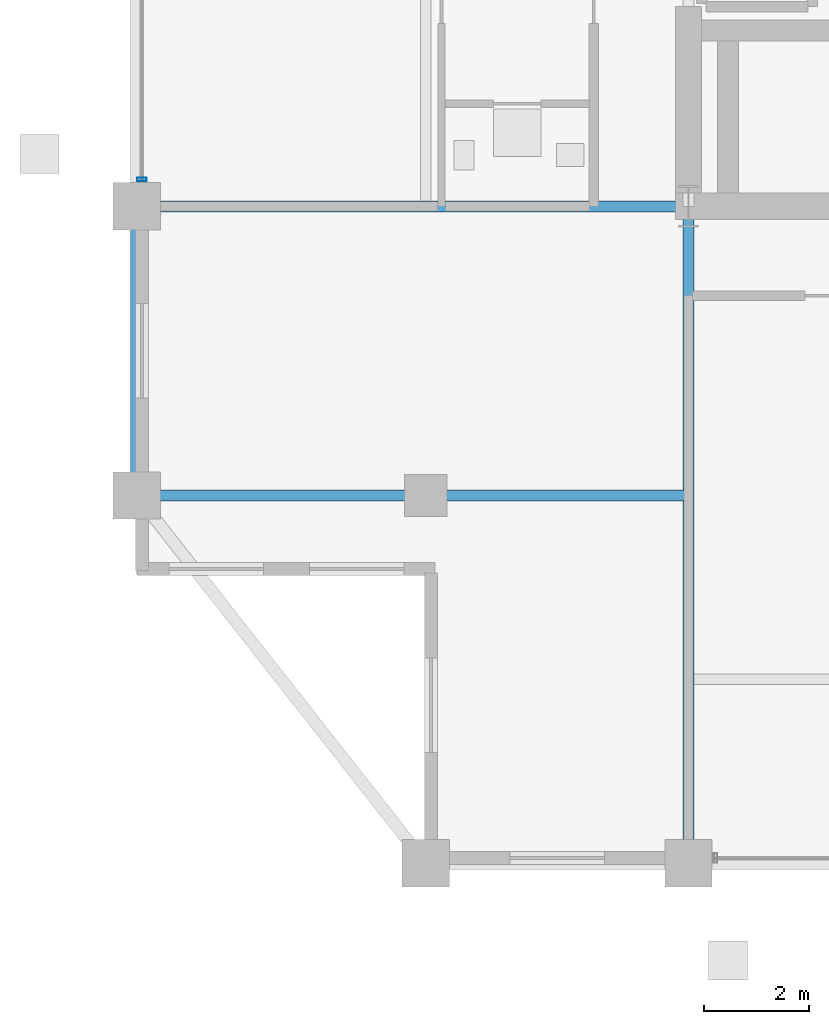
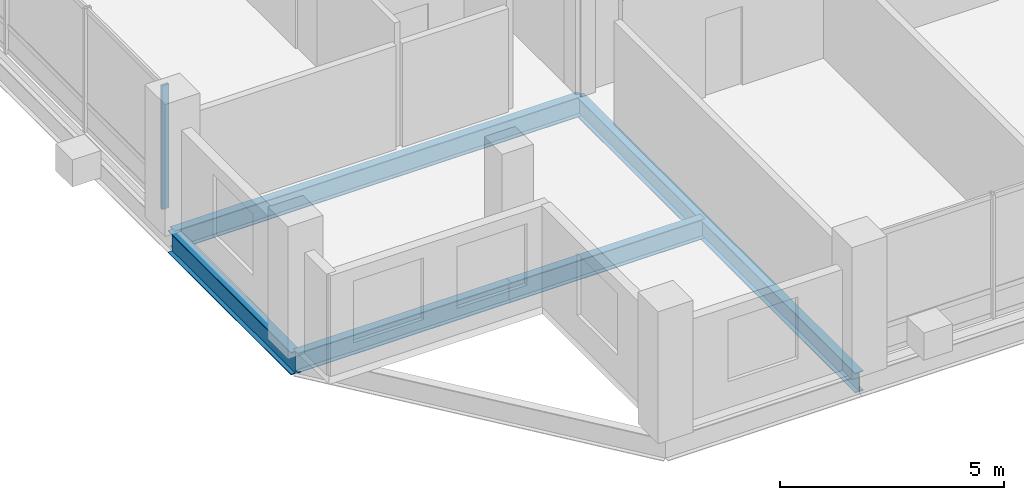
# One storey, part 3 of 21: 5 beams, 1 member, 1 element without a shape of its own.
"""IFC4 building model written with IfcOpenShell, lengths in metres."""

from ifc_helpers import new_model, si_unit, direction, frame, origin, origin_2d, place, context, subcontext, project, spatial, hollow_rectangle, i_section, extrude, material, layer, layer_set, material_profile, profile_set, type_object, element, aggregate, save


model = new_model("IFC4")

# Units and contexts
model_context = context("Model", 3, precision=1e-05, world=origin(), true_north=direction((0.0, 1.0)))
body_context = subcontext(model_context, "Body", "Model", "MODEL_VIEW")
ifc_project = project(units=[si_unit("LENGTHUNIT", "METRE"), si_unit("AREAUNIT", "SQUARE_METRE"), si_unit("VOLUMEUNIT", "CUBIC_METRE"), si_unit("PLANEANGLEUNIT", "RADIAN"), si_unit("MASSUNIT", "GRAM", prefix="KILO")], contexts=[model_context])

# Site, building, storey
site_placement = place(None, origin())
site = spatial("IfcSite", under=ifc_project, at=site_placement, CompositionType="ELEMENT")
building_placement = place(site_placement, origin())
building = spatial("IfcBuilding", under=site, at=building_placement, Name="Barlavira Tower and Art Museum", CompositionType="ELEMENT")
storey_placement = place(building_placement, frame((0.0, 0.0, 287.10009765625)))
storey = spatial("IfcBuildingStorey", under=building, at=storey_placement, Name="L75", CompositionType="ELEMENT", Elevation=287.10009765625)

# Curtain wall, member
ifc_material_1 = material(Name="Low-iron coastal laminated glass", Category="glass")
ifc_layer = layer(ifc_material_1, 0.2099609375, Name="Low-iron coastal laminated glass")
ifc_layer_set = layer_set([ifc_layer], Name="Low-iron coastal laminated glass")
curtain_wall_type = type_object("IfcCurtainWallType", Name="Pale-Metal Unitised Curtain Wall Zone 4", PredefinedType="NOTDEFINED", material=ifc_layer_set)
curtain_wall_placement = place(storey_placement, origin())
curtain_wall = element("IfcCurtainWall", 1, at=curtain_wall_placement, inside=storey, type_object=curtain_wall_type, Name="L75 Curtain Wall CW4-L75-W-B3", PredefinedType="NOTDEFINED")
ifc_material_2 = material(Name="Pale anodised aluminium", Category="aluminium")
ifc_material_profile_1 = material_profile(ifc_material_2, hollow_rectangle(XDim=0.06494140625, YDim=0.179931640625, WallThickness=0.00390625, at=origin_2d()), Name="ALU-MULL 65x180x4")
ifc_profile_set_1 = profile_set([ifc_material_profile_1], Name="Pale anodised aluminium")
member_type = type_object("IfcMemberType", Name="Curtain Wall Pale-Metal Mullion 65x180", PredefinedType="MULLION", material=ifc_profile_set_1)
member_placement = place(storey_placement, frame((-16.89990234375, -6.985107421875, 0.0), z_axis=(0.0, 0.0, 1.0), x_axis=(0.0, -1.0, 0.0)))
member = element("IfcMember", 2, at=member_placement, type_object=member_type, Name="CW4-L75-W-B3 Mullion 4", PredefinedType="MULLION", context=body_context, shape_type="SweptSolid", body=[
    extrude(hollow_rectangle(XDim=0.06494140625, YDim=0.179931640625, WallThickness=0.00390625, at=origin_2d()), origin(), (0.0, 0.0, 1.0), 3.3798828125),
])
aggregate(curtain_wall, [member])

# Beams
ifc_material_3 = material(Name="Steel S355", Category="steel")
ifc_material_profile_2 = material_profile(ifc_material_3, i_section(OverallWidth=0.22998046875, OverallDepth=0.616943359375, WebThickness=0.01318359375, FlangeThickness=0.022216796875, at=origin_2d()), Name="W610x140.0")
ifc_profile_set_2 = profile_set([ifc_material_profile_2], Name="Steel S355")
beam_type_1 = type_object("IfcBeamType", Name="Upper Shaft Spandrel Edge Beam W610x140 Steel S355", PredefinedType="SPANDREL", material=ifc_profile_set_2)
beam_1_placement = place(storey_placement, frame((-17.0, -13.0, -0.528564453125), z_axis=(0.0, 1.0, 0.0), x_axis=(-1.0, 0.0, 0.0)))
element("IfcBeam", 3, at=beam_1_placement, inside=storey, type_object=beam_type_1, Name="L75 Spandrel 15", PredefinedType="SPANDREL", context=body_context, shape_type="SweptSolid", body=[
    extrude(i_section(OverallWidth=0.22998046875, OverallDepth=0.616943359375, WebThickness=0.01318359375, FlangeThickness=0.022216796875, at=origin_2d()), origin(), (0.0, 0.0, 1.0), 5.5),
])
ifc_material_profile_3 = material_profile(ifc_material_3, i_section(OverallWidth=0.2109375, OverallDepth=0.5390625, WebThickness=0.01171875, FlangeThickness=0.018798828125, at=origin_2d()), Name="W530x109.0")
ifc_profile_set_3 = profile_set([ifc_material_profile_3], Name="Steel S355")
beam_type_2 = type_object("IfcBeamType", Name="Zone 3-4 Primary Floor Girder W530x109 Steel S355", PredefinedType="BEAM", material=ifc_profile_set_3)
beam_2_placement = place(storey_placement, frame((-6.5, -20.0, -0.489501953125), z_axis=(0.0, 1.0, 0.0), x_axis=(-1.0, 0.0, 0.0)))
element("IfcBeam", 4, at=beam_2_placement, inside=storey, type_object=beam_type_2, Name="L75 Girder R-S1", PredefinedType="BEAM", context=body_context, shape_type="SweptSolid", body=[
    extrude(i_section(OverallWidth=0.2109375, OverallDepth=0.5390625, WebThickness=0.01171875, FlangeThickness=0.018798828125, at=origin_2d()), origin(), (0.0, 0.0, 1.0), 12.5),
])
beam_3_placement = place(storey_placement, frame((-17.0, -7.5, -0.489501953125), z_axis=(1.0, 0.0, 0.0), x_axis=(0.0, 1.0, 0.0)))
element("IfcBeam", 5, at=beam_3_placement, inside=storey, type_object=beam_type_2, Name="L75 Girder R-W1", PredefinedType="BEAM", context=body_context, shape_type="SweptSolid", body=[
    extrude(i_section(OverallWidth=0.2109375, OverallDepth=0.5390625, WebThickness=0.01171875, FlangeThickness=0.018798828125, at=origin_2d()), origin(), (0.0, 0.0, 1.0), 10.5),
])
beam_4_placement = place(storey_placement, frame((-17.0, -13.0, -0.489501953125), z_axis=(1.0, 0.0, 0.0), x_axis=(0.0, 1.0, 0.0)))
element("IfcBeam", 6, at=beam_4_placement, inside=storey, type_object=beam_type_2, Name="L75 Girder I-S1", PredefinedType="BEAM", context=body_context, shape_type="SweptSolid", body=[
    extrude(i_section(OverallWidth=0.2109375, OverallDepth=0.5390625, WebThickness=0.01171875, FlangeThickness=0.018798828125, at=origin_2d()), origin(), (0.0, 0.0, 1.0), 5.5),
])
beam_5_placement = place(storey_placement, frame((-11.5, -13.0, -0.489501953125), z_axis=(1.0, 0.0, 0.0), x_axis=(0.0, 1.0, 0.0)))
element("IfcBeam", 7, at=beam_5_placement, inside=storey, type_object=beam_type_2, Name="L75 Girder I-S2", PredefinedType="BEAM", context=body_context, shape_type="SweptSolid", body=[
    extrude(i_section(OverallWidth=0.2109375, OverallDepth=0.5390625, WebThickness=0.01171875, FlangeThickness=0.018798828125, at=origin_2d()), origin(), (0.0, 0.0, 1.0), 5.0),
])

save(model, "model.ifc")
